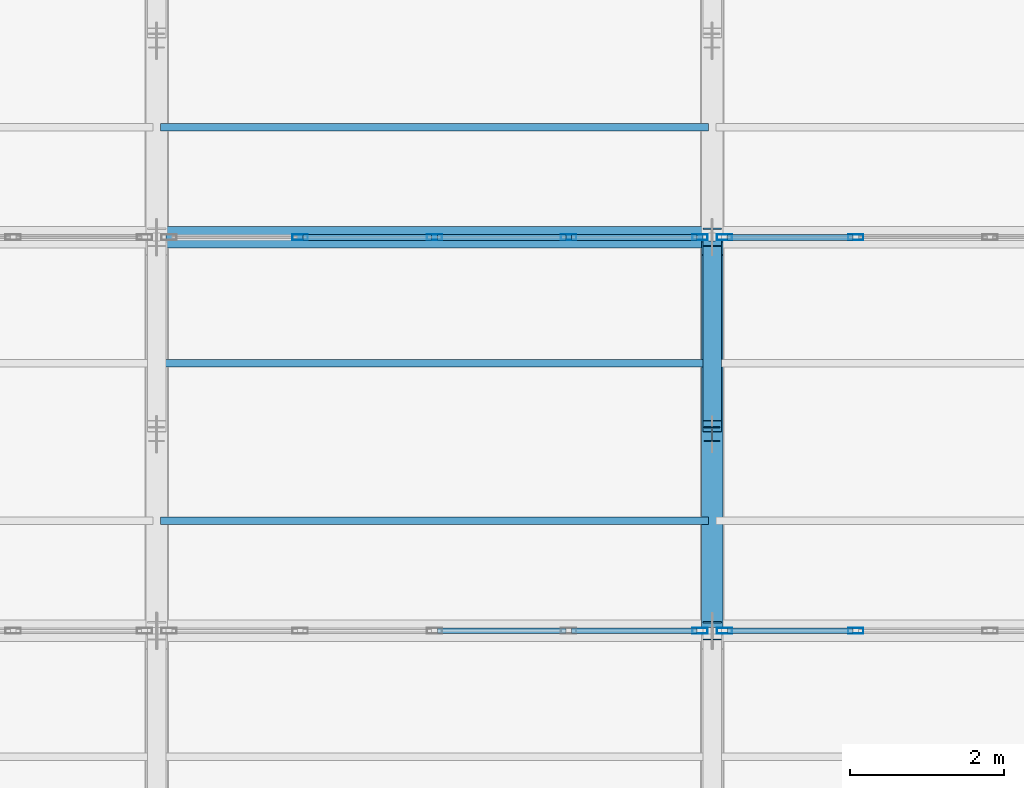
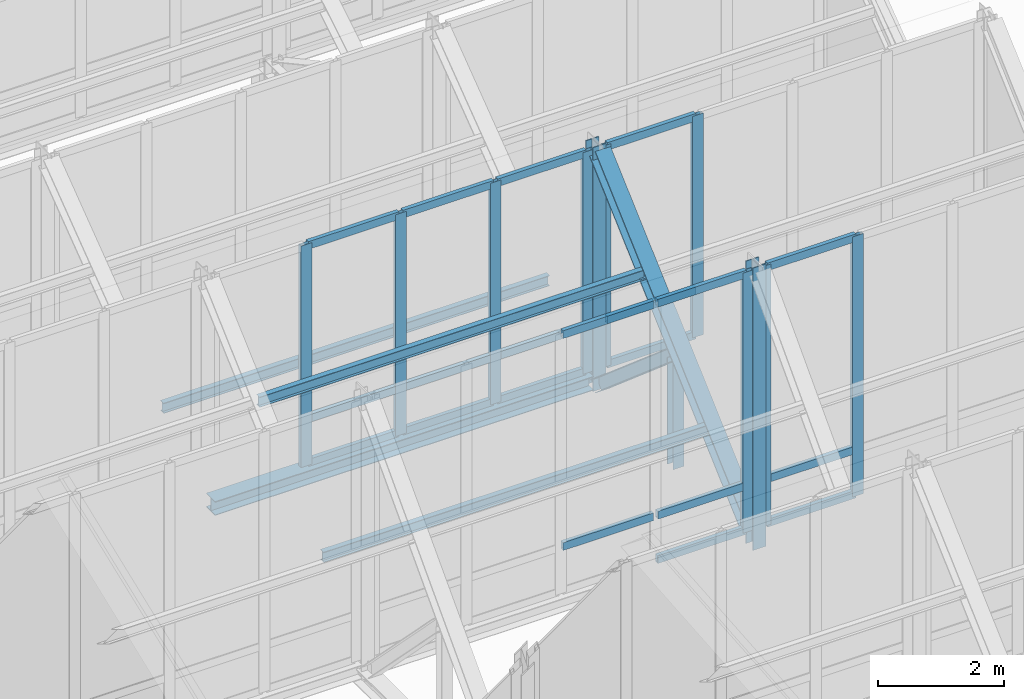
# One storey, part 64 of 157: 37 members, 1 beam, 4 elements without a shape of their own.
"""IFC4 building model written with IfcOpenShell, lengths in metres."""

from ifc_helpers import new_model, si_unit, direction, frame, origin, origin_2d, place, context, subcontext, project, spatial, hollow_rectangle, i_section, extrude, material, material_profile, profile_set, type_object, element, aggregate, save


model = new_model("IFC4")

# Units and contexts
model_context = context("Model", 3, precision=1e-05, world=origin(), true_north=direction((0.0, 1.0)))
body_context = subcontext(model_context, "Body", "Model", "MODEL_VIEW")
ifc_project = project(units=[si_unit("LENGTHUNIT", "METRE"), si_unit("AREAUNIT", "SQUARE_METRE"), si_unit("VOLUMEUNIT", "CUBIC_METRE"), si_unit("PLANEANGLEUNIT", "RADIAN"), si_unit("MASSUNIT", "GRAM", prefix="KILO")], contexts=[model_context])

# Site, building, storey
site_placement = place(None, origin())
site = spatial("IfcSite", under=ifc_project, at=site_placement, CompositionType="ELEMENT")
building_placement = place(site_placement, origin())
building = spatial("IfcBuilding", under=site, at=building_placement, Name="Suanplinth Sawtooth Commons", CompositionType="ELEMENT")
storey_placement = place(building_placement, frame((0.0, 0.0, 9.0)))
storey = spatial("IfcBuildingStorey", under=building, at=storey_placement, Name="L02", CompositionType="ELEMENT", Elevation=9.0)

# Beam
ifc_material_1 = material(Name="Steel S355JR", Category="steel")
ifc_material_profile_1 = material_profile(ifc_material_1, i_section(OverallWidth=0.280029296875, OverallDepth=0.27001953125, WebThickness=0.008056640625, FlangeThickness=0.012939453125, at=origin_2d()), Name="HEA 280")
ifc_profile_set_1 = profile_set([ifc_material_profile_1], Name="Steel S355JR")
beam_type = type_object("IfcBeamType", Name="B-16", PredefinedType="USERDEFINED", material=ifc_profile_set_1)
beam_placement = place(storey_placement, frame((100.919921875, 75.89990234375, 2.820068359375), z_axis=(1.0, 0.0, 0.0), x_axis=(0.0, 1.0, 0.0)))
element("IfcBeam", 1, at=beam_placement, inside=storey, type_object=beam_type, Name="Sawtooth Valley Girder T6-B6", ObjectType="GIRDER", PredefinedType="USERDEFINED", context=body_context, shape_type="SweptSolid", body=[
    extrude(i_section(OverallWidth=0.280029296875, OverallDepth=0.27001953125, WebThickness=0.008056640625, FlangeThickness=0.012939453125, at=origin_2d()), origin(), (0.0, 0.0, 1.0), 6.9599609375),
])

# Members
ifc_material_profile_2 = material_profile(ifc_material_1, i_section(OverallWidth=0.280029296875, OverallDepth=0.280029296875, WebThickness=0.010498046875, FlangeThickness=0.01806640625, at=origin_2d()), Name="HEB 280")
ifc_profile_set_2 = profile_set([ifc_material_profile_2], Name="Steel S355JR")
member_type_1 = type_object("IfcMemberType", Name="M-02", PredefinedType="CHORD", material=ifc_profile_set_2)
member_1_placement = place(storey_placement, frame((108.0, 70.93994140625, 2.919921875), z_axis=(0.0, 0.740839311711, 0.671682301556), x_axis=(-1.0, 0.0, 0.0)))
element("IfcMember", 2, at=member_1_placement, inside=storey, type_object=member_type_1, Name="Sawtooth Truss T7 Top Chord 5", PredefinedType="CHORD", context=body_context, shape_type="SweptSolid", body=[
    extrude(i_section(OverallWidth=0.280029296875, OverallDepth=0.280029296875, WebThickness=0.010498046875, FlangeThickness=0.01806640625, at=origin_2d()), origin(), (0.0, 0.0, 1.0), 6.50634765625),
])
ifc_material_profile_3 = material_profile(ifc_material_1, i_section(OverallWidth=0.239990234375, OverallDepth=0.22998046875, WebThickness=0.007568359375, FlangeThickness=0.011962890625, at=origin_2d()), Name="HEA 240")
ifc_profile_set_3 = profile_set([ifc_material_profile_3], Name="Steel S355JR")
member_type_2 = type_object("IfcMemberType", Name="M-03", PredefinedType="BRACE", material=ifc_profile_set_3)
member_2_placement = place(storey_placement, frame((108.0, 73.449951171875, 4.7451171875), z_axis=(0.0, 0.759593581641, -0.65039802485), x_axis=(-1.0, 0.0, 0.0)))
element("IfcMember", 3, at=member_2_placement, inside=storey, type_object=member_type_2, Name="Sawtooth Truss T7 Web Diagonal 5", PredefinedType="BRACE", context=body_context, shape_type="SweptSolid", body=[
    extrude(i_section(OverallWidth=0.239990234375, OverallDepth=0.22998046875, WebThickness=0.007568359375, FlangeThickness=0.011962890625, at=origin_2d()), origin(), (0.0, 0.0, 1.0), 3.067626953125),
])
ifc_material_profile_4 = material_profile(ifc_material_1, i_section(OverallWidth=0.199951171875, OverallDepth=0.18994140625, WebThickness=0.006591796875, FlangeThickness=0.010009765625, at=origin_2d()), Name="HEA 200")
ifc_profile_set_4 = profile_set([ifc_material_profile_4], Name="Steel S355JR")
member_type_3 = type_object("IfcMemberType", Name="M-04", PredefinedType="BRACE", material=ifc_profile_set_4)
member_3_placement = place(storey_placement, frame((108.0, 73.35009765625, 2.64990234375), z_axis=(0.0, 0.0, 1.0), x_axis=(1.0, 0.0, 0.0)))
element("IfcMember", 4, at=member_3_placement, inside=storey, type_object=member_type_3, Name="Sawtooth Truss T7 Mid Web Post 5", PredefinedType="BRACE", context=body_context, shape_type="SweptSolid", body=[
    extrude(i_section(OverallWidth=0.199951171875, OverallDepth=0.18994140625, WebThickness=0.006591796875, FlangeThickness=0.010009765625, at=origin_2d()), origin(), (0.0, 0.0, 1.0), 2.0751953125),
])
ifc_material_profile_5 = material_profile(ifc_material_1, i_section(OverallWidth=0.239990234375, OverallDepth=0.239990234375, WebThickness=0.010009765625, FlangeThickness=0.01708984375, at=origin_2d()), Name="HEB 240")
ifc_profile_set_5 = profile_set([ifc_material_profile_5], Name="Steel S355JR")
member_type_4 = type_object("IfcMemberType", Name="M-05", PredefinedType="POST", material=ifc_profile_set_5)
member_4_placement = place(storey_placement, frame((108.0, 70.800048828125, 2.64990234375), z_axis=(0.0, 0.0, 1.0), x_axis=(1.0, 0.0, 0.0)))
element("IfcMember", 5, at=member_4_placement, inside=storey, type_object=member_type_4, Name="Sawtooth Truss T7 Clerestory Post 4", PredefinedType="POST", context=body_context, shape_type="SweptSolid", body=[
    extrude(i_section(OverallWidth=0.239990234375, OverallDepth=0.239990234375, WebThickness=0.010009765625, FlangeThickness=0.01708984375, at=origin_2d()), origin(), (0.0, 0.0, 1.0), 5.489990234375),
])
member_5_placement = place(storey_placement, frame((108.0, 75.89990234375, 2.64990234375), z_axis=(0.0, 0.0, 1.0), x_axis=(1.0, 0.0, 0.0)))
element("IfcMember", 6, at=member_5_placement, inside=storey, type_object=member_type_4, Name="Sawtooth Truss T7 Clerestory Post 5", PredefinedType="POST", context=body_context, shape_type="SweptSolid", body=[
    extrude(i_section(OverallWidth=0.239990234375, OverallDepth=0.239990234375, WebThickness=0.010009765625, FlangeThickness=0.01708984375, at=origin_2d()), origin(), (0.0, 0.0, 1.0), 4.739990234375),
])
ifc_material_2 = material(Name="Steel SS400", Category="steel")
ifc_material_profile_6 = material_profile(ifc_material_2, i_section(OverallWidth=0.10009765625, OverallDepth=0.199951171875, WebThickness=0.005615234375, FlangeThickness=0.008544921875, at=origin_2d()), Name="IPE 200")
ifc_profile_set_6 = profile_set([ifc_material_profile_6], Name="Steel SS400")
member_type_5 = type_object("IfcMemberType", Name="M-06", PredefinedType="PURLIN", material=ifc_profile_set_6)
for number, where, z_axis, x_axis, name in (
    (7, (100.85009765625, 72.22802734375, 4.067138671875), (1.0, 0.0, 0.0), (0.0, 1.0, 0.0), "Sawtooth Roof Purlin T5-B6-P1"),
    (8, (100.85009765625, 74.26806640625, 5.84716796875), (1.0, 0.0, 0.0), (0.0, 1.0, 0.0), "Sawtooth Roof Purlin T5-B6-P2"),
    (9, (100.85009765625, 77.327880859375, 3.87353515625), (1.0, 0.0, 0.0), (0.0, 1.0, 0.0), "Sawtooth Roof Purlin T6-B6-P1"),
):
    element("IfcMember", number, at=place(storey_placement, frame(where, z_axis=z_axis, x_axis=x_axis)), inside=storey, type_object=member_type_5, Name=name, PredefinedType="PURLIN", context=body_context, shape_type="SweptSolid", body=[
        extrude(i_section(OverallWidth=0.10009765625, OverallDepth=0.199951171875, WebThickness=0.005615234375, FlangeThickness=0.008544921875, at=origin_2d()), origin(), (0.0, 0.0, 1.0), 7.099853515625),
    ])

# Curtain wall, member
ifc_material_3 = material(Name="Anodized aluminium and low-E glazing", Category="aluminium")
curtain_wall_type = type_object("IfcCurtainWallType", Name="CW-03", PredefinedType="USERDEFINED", material=ifc_material_3)
curtain_wall_1_placement = place(storey_placement, origin())
curtain_wall_1 = element("IfcCurtainWall", 10, at=curtain_wall_1_placement, inside=storey, type_object=curtain_wall_type, Name="Curtain Wall CW-SAW-T4-B6", ObjectType="CURTAIN WALL", PredefinedType="USERDEFINED")
ifc_material_4 = material(Name="Anodized aluminium 6063-T6", Category="aluminium")
ifc_material_profile_7 = material_profile(ifc_material_4, hollow_rectangle(XDim=0.074951171875, YDim=0.199951171875, WallThickness=0.0048828125, at=origin_2d()), Name="ALU-MUL 75x200")
ifc_profile_set_7 = profile_set([ifc_material_profile_7], Name="Anodized aluminium 6063-T6")
member_type_6 = type_object("IfcMemberType", Name="M-14", PredefinedType="MULLION", material=ifc_profile_set_7)
member_6_placement = place(storey_placement, frame((107.842529296875, 70.800048828125, 2.97998046875), z_axis=(0.0, 0.0, 1.0), x_axis=(0.0, 1.0, 0.0)))
member_6 = element("IfcMember", 11, at=member_6_placement, type_object=member_type_6, Name="CW-03 mullion 5", PredefinedType="MULLION", context=body_context, shape_type="SweptSolid", body=[
    extrude(hollow_rectangle(XDim=0.074951171875, YDim=0.199951171875, WallThickness=0.0048828125, at=origin_2d()), origin(), (0.0, 0.0, 1.0), 5.06005859375),
])

# Curtain wall, members
curtain_wall_2_placement = place(storey_placement, origin())
curtain_wall_2 = element("IfcCurtainWall", 12, at=curtain_wall_2_placement, inside=storey, type_object=curtain_wall_type, Name="Curtain Wall CW-SAW-T4-B7", ObjectType="CURTAIN WALL", PredefinedType="USERDEFINED")
member_7_placement = place(storey_placement, frame((108.157470703125, 70.800048828125, 2.97998046875), z_axis=(0.0, 0.0, 1.0), x_axis=(0.0, 1.0, 0.0)))
member_7 = element("IfcMember", 13, at=member_7_placement, type_object=member_type_6, Name="CW-03 mullion 1", PredefinedType="MULLION", context=body_context, shape_type="SweptSolid", body=[
    extrude(hollow_rectangle(XDim=0.074951171875, YDim=0.199951171875, WallThickness=0.0048828125, at=origin_2d()), origin(), (0.0, 0.0, 1.0), 5.06005859375),
])
member_8_placement = place(storey_placement, frame((109.860107421875, 70.800048828125, 2.97998046875), z_axis=(0.0, 0.0, 1.0), x_axis=(0.0, 1.0, 0.0)))
member_8 = element("IfcMember", 14, at=member_8_placement, type_object=member_type_6, Name="CW-03 mullion 2", PredefinedType="MULLION", context=body_context, shape_type="SweptSolid", body=[
    extrude(hollow_rectangle(XDim=0.074951171875, YDim=0.199951171875, WallThickness=0.0048828125, at=origin_2d()), origin(), (0.0, 0.0, 1.0), 5.06005859375),
])

curtain_wall_3_placement = place(storey_placement, origin())
curtain_wall_3 = element("IfcCurtainWall", 15, at=curtain_wall_3_placement, inside=storey, type_object=curtain_wall_type, Name="Curtain Wall CW-SAW-T5-B6", ObjectType="CURTAIN WALL", PredefinedType="USERDEFINED")
member_9_placement = place(storey_placement, frame((102.659912109375, 75.89990234375, 2.97998046875), z_axis=(0.0, 0.0, 1.0), x_axis=(0.0, 1.0, 0.0)))
member_9 = element("IfcMember", 16, at=member_9_placement, type_object=member_type_6, Name="CW-03 mullion 2", PredefinedType="MULLION", context=body_context, shape_type="SweptSolid", body=[
    extrude(hollow_rectangle(XDim=0.074951171875, YDim=0.199951171875, WallThickness=0.0048828125, at=origin_2d()), origin(), (0.0, 0.0, 1.0), 4.31005859375),
])
member_10_placement = place(storey_placement, frame((104.39990234375, 75.89990234375, 2.97998046875), z_axis=(0.0, 0.0, 1.0), x_axis=(0.0, 1.0, 0.0)))
member_10 = element("IfcMember", 17, at=member_10_placement, type_object=member_type_6, Name="CW-03 mullion 3", PredefinedType="MULLION", context=body_context, shape_type="SweptSolid", body=[
    extrude(hollow_rectangle(XDim=0.074951171875, YDim=0.199951171875, WallThickness=0.0048828125, at=origin_2d()), origin(), (0.0, 0.0, 1.0), 4.31005859375),
])
member_11_placement = place(storey_placement, frame((106.139892578125, 75.89990234375, 2.97998046875), z_axis=(0.0, 0.0, 1.0), x_axis=(0.0, 1.0, 0.0)))
member_11 = element("IfcMember", 18, at=member_11_placement, type_object=member_type_6, Name="CW-03 mullion 4", PredefinedType="MULLION", context=body_context, shape_type="SweptSolid", body=[
    extrude(hollow_rectangle(XDim=0.074951171875, YDim=0.199951171875, WallThickness=0.0048828125, at=origin_2d()), origin(), (0.0, 0.0, 1.0), 4.31005859375),
])
member_12_placement = place(storey_placement, frame((107.842529296875, 75.89990234375, 2.97998046875), z_axis=(0.0, 0.0, 1.0), x_axis=(0.0, 1.0, 0.0)))
member_12 = element("IfcMember", 19, at=member_12_placement, type_object=member_type_6, Name="CW-03 mullion 5", PredefinedType="MULLION", context=body_context, shape_type="SweptSolid", body=[
    extrude(hollow_rectangle(XDim=0.074951171875, YDim=0.199951171875, WallThickness=0.0048828125, at=origin_2d()), origin(), (0.0, 0.0, 1.0), 4.31005859375),
])

curtain_wall_4_placement = place(storey_placement, origin())
curtain_wall_4 = element("IfcCurtainWall", 20, at=curtain_wall_4_placement, inside=storey, type_object=curtain_wall_type, Name="Curtain Wall CW-SAW-T5-B7", ObjectType="CURTAIN WALL", PredefinedType="USERDEFINED")
member_13_placement = place(storey_placement, frame((108.157470703125, 75.89990234375, 2.97998046875), z_axis=(0.0, 0.0, 1.0), x_axis=(0.0, 1.0, 0.0)))
member_13 = element("IfcMember", 21, at=member_13_placement, type_object=member_type_6, Name="CW-03 mullion 1", PredefinedType="MULLION", context=body_context, shape_type="SweptSolid", body=[
    extrude(hollow_rectangle(XDim=0.074951171875, YDim=0.199951171875, WallThickness=0.0048828125, at=origin_2d()), origin(), (0.0, 0.0, 1.0), 4.31005859375),
])
member_14_placement = place(storey_placement, frame((109.860107421875, 75.89990234375, 2.97998046875), z_axis=(0.0, 0.0, 1.0), x_axis=(0.0, 1.0, 0.0)))
member_14 = element("IfcMember", 22, at=member_14_placement, type_object=member_type_6, Name="CW-03 mullion 2", PredefinedType="MULLION", context=body_context, shape_type="SweptSolid", body=[
    extrude(hollow_rectangle(XDim=0.074951171875, YDim=0.199951171875, WallThickness=0.0048828125, at=origin_2d()), origin(), (0.0, 0.0, 1.0), 4.31005859375),
])

# Member
ifc_material_profile_8 = material_profile(ifc_material_4, hollow_rectangle(XDim=0.074951171875, YDim=0.14990234375, WallThickness=0.00439453125, at=origin_2d()), Name="ALU-TRN 75x150")
ifc_profile_set_8 = profile_set([ifc_material_profile_8], Name="Anodized aluminium 6063-T6")
member_type_7 = type_object("IfcMemberType", Name="M-16", PredefinedType="USERDEFINED", material=ifc_profile_set_8)
member_15_placement = place(storey_placement, frame((104.4375, 70.800048828125, 3.8798828125), z_axis=(1.0, 0.0, 0.0), x_axis=(0.0, 1.0, 0.0)))
member_15 = element("IfcMember", 23, at=member_15_placement, type_object=member_type_7, Name="CW-03 transom 3.2", ObjectType="TRANSOM", PredefinedType="USERDEFINED", context=body_context, shape_type="SweptSolid", body=[
    extrude(hollow_rectangle(XDim=0.074951171875, YDim=0.14990234375, WallThickness=0.00439453125, at=origin_2d()), origin(), (0.0, 0.0, 1.0), 1.6650390625),
])

member_16_placement = place(storey_placement, frame((104.4375, 70.800048828125, 8.00244140625), z_axis=(1.0, 0.0, 0.0), x_axis=(0.0, 1.0, 0.0)))
member_16 = element("IfcMember", 24, at=member_16_placement, type_object=member_type_7, Name="CW-03 transom 3.3", ObjectType="TRANSOM", PredefinedType="USERDEFINED", context=body_context, shape_type="SweptSolid", body=[
    extrude(hollow_rectangle(XDim=0.074951171875, YDim=0.14990234375, WallThickness=0.00439453125, at=origin_2d()), origin(), (0.0, 0.0, 1.0), 1.6650390625),
])

member_17_placement = place(storey_placement, frame((106.177490234375, 70.800048828125, 3.017578125), z_axis=(1.0, 0.0, 0.0), x_axis=(0.0, 1.0, 0.0)))
member_17 = element("IfcMember", 25, at=member_17_placement, type_object=member_type_7, Name="CW-03 transom 4.1", ObjectType="TRANSOM", PredefinedType="USERDEFINED", context=body_context, shape_type="SweptSolid", body=[
    extrude(hollow_rectangle(XDim=0.074951171875, YDim=0.14990234375, WallThickness=0.00439453125, at=origin_2d()), origin(), (0.0, 0.0, 1.0), 1.62744140625),
])

member_18_placement = place(storey_placement, frame((106.177490234375, 70.800048828125, 3.8798828125), z_axis=(1.0, 0.0, 0.0), x_axis=(0.0, 1.0, 0.0)))
member_18 = element("IfcMember", 26, at=member_18_placement, type_object=member_type_7, Name="CW-03 transom 4.2", ObjectType="TRANSOM", PredefinedType="USERDEFINED", context=body_context, shape_type="SweptSolid", body=[
    extrude(hollow_rectangle(XDim=0.074951171875, YDim=0.14990234375, WallThickness=0.00439453125, at=origin_2d()), origin(), (0.0, 0.0, 1.0), 1.62744140625),
])

member_19_placement = place(storey_placement, frame((106.177490234375, 70.800048828125, 8.00244140625), z_axis=(1.0, 0.0, 0.0), x_axis=(0.0, 1.0, 0.0)))
member_19 = element("IfcMember", 27, at=member_19_placement, type_object=member_type_7, Name="CW-03 transom 4.3", ObjectType="TRANSOM", PredefinedType="USERDEFINED", context=body_context, shape_type="SweptSolid", body=[
    extrude(hollow_rectangle(XDim=0.074951171875, YDim=0.14990234375, WallThickness=0.00439453125, at=origin_2d()), origin(), (0.0, 0.0, 1.0), 1.62744140625),
])

aggregate(curtain_wall_1, [member_6, member_15, member_16, member_17, member_18, member_19])

member_20_placement = place(storey_placement, frame((108.195068359375, 70.800048828125, 3.017578125), z_axis=(1.0, 0.0, 0.0), x_axis=(0.0, 1.0, 0.0)))
member_20 = element("IfcMember", 28, at=member_20_placement, type_object=member_type_7, Name="CW-03 transom 1.1", ObjectType="TRANSOM", PredefinedType="USERDEFINED", context=body_context, shape_type="SweptSolid", body=[
    extrude(hollow_rectangle(XDim=0.074951171875, YDim=0.14990234375, WallThickness=0.00439453125, at=origin_2d()), origin(), (0.0, 0.0, 1.0), 1.62744140625),
])

member_21_placement = place(storey_placement, frame((108.195068359375, 70.800048828125, 3.8798828125), z_axis=(1.0, 0.0, 0.0), x_axis=(0.0, 1.0, 0.0)))
member_21 = element("IfcMember", 29, at=member_21_placement, type_object=member_type_7, Name="CW-03 transom 1.2", ObjectType="TRANSOM", PredefinedType="USERDEFINED", context=body_context, shape_type="SweptSolid", body=[
    extrude(hollow_rectangle(XDim=0.074951171875, YDim=0.14990234375, WallThickness=0.00439453125, at=origin_2d()), origin(), (0.0, 0.0, 1.0), 1.62744140625),
])

member_22_placement = place(storey_placement, frame((108.195068359375, 70.800048828125, 8.00244140625), z_axis=(1.0, 0.0, 0.0), x_axis=(0.0, 1.0, 0.0)))
member_22 = element("IfcMember", 30, at=member_22_placement, type_object=member_type_7, Name="CW-03 transom 1.3", ObjectType="TRANSOM", PredefinedType="USERDEFINED", context=body_context, shape_type="SweptSolid", body=[
    extrude(hollow_rectangle(XDim=0.074951171875, YDim=0.14990234375, WallThickness=0.00439453125, at=origin_2d()), origin(), (0.0, 0.0, 1.0), 1.62744140625),
])

aggregate(curtain_wall_2, [member_7, member_8, member_20, member_21, member_22])

member_23_placement = place(storey_placement, frame((102.697509765625, 75.89990234375, 3.017578125), z_axis=(1.0, 0.0, 0.0), x_axis=(0.0, 1.0, 0.0)))
member_23 = element("IfcMember", 31, at=member_23_placement, type_object=member_type_7, Name="CW-03 transom 2.1", ObjectType="TRANSOM", PredefinedType="USERDEFINED", context=body_context, shape_type="SweptSolid", body=[
    extrude(hollow_rectangle(XDim=0.074951171875, YDim=0.14990234375, WallThickness=0.00439453125, at=origin_2d()), origin(), (0.0, 0.0, 1.0), 1.6650390625),
])

member_24_placement = place(storey_placement, frame((102.697509765625, 75.89990234375, 3.8798828125), z_axis=(1.0, 0.0, 0.0), x_axis=(0.0, 1.0, 0.0)))
member_24 = element("IfcMember", 32, at=member_24_placement, type_object=member_type_7, Name="CW-03 transom 2.2", ObjectType="TRANSOM", PredefinedType="USERDEFINED", context=body_context, shape_type="SweptSolid", body=[
    extrude(hollow_rectangle(XDim=0.074951171875, YDim=0.14990234375, WallThickness=0.00439453125, at=origin_2d()), origin(), (0.0, 0.0, 1.0), 1.6650390625),
])

member_25_placement = place(storey_placement, frame((102.697509765625, 75.89990234375, 7.25244140625), z_axis=(1.0, 0.0, 0.0), x_axis=(0.0, 1.0, 0.0)))
member_25 = element("IfcMember", 33, at=member_25_placement, type_object=member_type_7, Name="CW-03 transom 2.3", ObjectType="TRANSOM", PredefinedType="USERDEFINED", context=body_context, shape_type="SweptSolid", body=[
    extrude(hollow_rectangle(XDim=0.074951171875, YDim=0.14990234375, WallThickness=0.00439453125, at=origin_2d()), origin(), (0.0, 0.0, 1.0), 1.6650390625),
])

member_26_placement = place(storey_placement, frame((104.4375, 75.89990234375, 3.017578125), z_axis=(1.0, 0.0, 0.0), x_axis=(0.0, 1.0, 0.0)))
member_26 = element("IfcMember", 34, at=member_26_placement, type_object=member_type_7, Name="CW-03 transom 3.1", ObjectType="TRANSOM", PredefinedType="USERDEFINED", context=body_context, shape_type="SweptSolid", body=[
    extrude(hollow_rectangle(XDim=0.074951171875, YDim=0.14990234375, WallThickness=0.00439453125, at=origin_2d()), origin(), (0.0, 0.0, 1.0), 1.6650390625),
])

member_27_placement = place(storey_placement, frame((104.4375, 75.89990234375, 3.8798828125), z_axis=(1.0, 0.0, 0.0), x_axis=(0.0, 1.0, 0.0)))
member_27 = element("IfcMember", 35, at=member_27_placement, type_object=member_type_7, Name="CW-03 transom 3.2", ObjectType="TRANSOM", PredefinedType="USERDEFINED", context=body_context, shape_type="SweptSolid", body=[
    extrude(hollow_rectangle(XDim=0.074951171875, YDim=0.14990234375, WallThickness=0.00439453125, at=origin_2d()), origin(), (0.0, 0.0, 1.0), 1.6650390625),
])

member_28_placement = place(storey_placement, frame((104.4375, 75.89990234375, 7.25244140625), z_axis=(1.0, 0.0, 0.0), x_axis=(0.0, 1.0, 0.0)))
member_28 = element("IfcMember", 36, at=member_28_placement, type_object=member_type_7, Name="CW-03 transom 3.3", ObjectType="TRANSOM", PredefinedType="USERDEFINED", context=body_context, shape_type="SweptSolid", body=[
    extrude(hollow_rectangle(XDim=0.074951171875, YDim=0.14990234375, WallThickness=0.00439453125, at=origin_2d()), origin(), (0.0, 0.0, 1.0), 1.6650390625),
])

member_29_placement = place(storey_placement, frame((106.177490234375, 75.89990234375, 3.017578125), z_axis=(1.0, 0.0, 0.0), x_axis=(0.0, 1.0, 0.0)))
member_29 = element("IfcMember", 37, at=member_29_placement, type_object=member_type_7, Name="CW-03 transom 4.1", ObjectType="TRANSOM", PredefinedType="USERDEFINED", context=body_context, shape_type="SweptSolid", body=[
    extrude(hollow_rectangle(XDim=0.074951171875, YDim=0.14990234375, WallThickness=0.00439453125, at=origin_2d()), origin(), (0.0, 0.0, 1.0), 1.62744140625),
])

member_30_placement = place(storey_placement, frame((106.177490234375, 75.89990234375, 3.8798828125), z_axis=(1.0, 0.0, 0.0), x_axis=(0.0, 1.0, 0.0)))
member_30 = element("IfcMember", 38, at=member_30_placement, type_object=member_type_7, Name="CW-03 transom 4.2", ObjectType="TRANSOM", PredefinedType="USERDEFINED", context=body_context, shape_type="SweptSolid", body=[
    extrude(hollow_rectangle(XDim=0.074951171875, YDim=0.14990234375, WallThickness=0.00439453125, at=origin_2d()), origin(), (0.0, 0.0, 1.0), 1.62744140625),
])

member_31_placement = place(storey_placement, frame((106.177490234375, 75.89990234375, 7.25244140625), z_axis=(1.0, 0.0, 0.0), x_axis=(0.0, 1.0, 0.0)))
member_31 = element("IfcMember", 39, at=member_31_placement, type_object=member_type_7, Name="CW-03 transom 4.3", ObjectType="TRANSOM", PredefinedType="USERDEFINED", context=body_context, shape_type="SweptSolid", body=[
    extrude(hollow_rectangle(XDim=0.074951171875, YDim=0.14990234375, WallThickness=0.00439453125, at=origin_2d()), origin(), (0.0, 0.0, 1.0), 1.62744140625),
])

aggregate(curtain_wall_3, [member_9, member_10, member_11, member_12, member_23, member_24, member_25, member_26, member_27, member_28, member_29, member_30, member_31])

member_32_placement = place(storey_placement, frame((108.195068359375, 75.89990234375, 3.017578125), z_axis=(1.0, 0.0, 0.0), x_axis=(0.0, 1.0, 0.0)))
member_32 = element("IfcMember", 40, at=member_32_placement, type_object=member_type_7, Name="CW-03 transom 1.1", ObjectType="TRANSOM", PredefinedType="USERDEFINED", context=body_context, shape_type="SweptSolid", body=[
    extrude(hollow_rectangle(XDim=0.074951171875, YDim=0.14990234375, WallThickness=0.00439453125, at=origin_2d()), origin(), (0.0, 0.0, 1.0), 1.62744140625),
])

member_33_placement = place(storey_placement, frame((108.195068359375, 75.89990234375, 3.8798828125), z_axis=(1.0, 0.0, 0.0), x_axis=(0.0, 1.0, 0.0)))
member_33 = element("IfcMember", 41, at=member_33_placement, type_object=member_type_7, Name="CW-03 transom 1.2", ObjectType="TRANSOM", PredefinedType="USERDEFINED", context=body_context, shape_type="SweptSolid", body=[
    extrude(hollow_rectangle(XDim=0.074951171875, YDim=0.14990234375, WallThickness=0.00439453125, at=origin_2d()), origin(), (0.0, 0.0, 1.0), 1.62744140625),
])

member_34_placement = place(storey_placement, frame((108.195068359375, 75.89990234375, 7.25244140625), z_axis=(1.0, 0.0, 0.0), x_axis=(0.0, 1.0, 0.0)))
member_34 = element("IfcMember", 42, at=member_34_placement, type_object=member_type_7, Name="CW-03 transom 1.3", ObjectType="TRANSOM", PredefinedType="USERDEFINED", context=body_context, shape_type="SweptSolid", body=[
    extrude(hollow_rectangle(XDim=0.074951171875, YDim=0.14990234375, WallThickness=0.00439453125, at=origin_2d()), origin(), (0.0, 0.0, 1.0), 1.62744140625),
])

aggregate(curtain_wall_4, [member_13, member_14, member_32, member_33, member_34])

save(model, "model.ifc")
